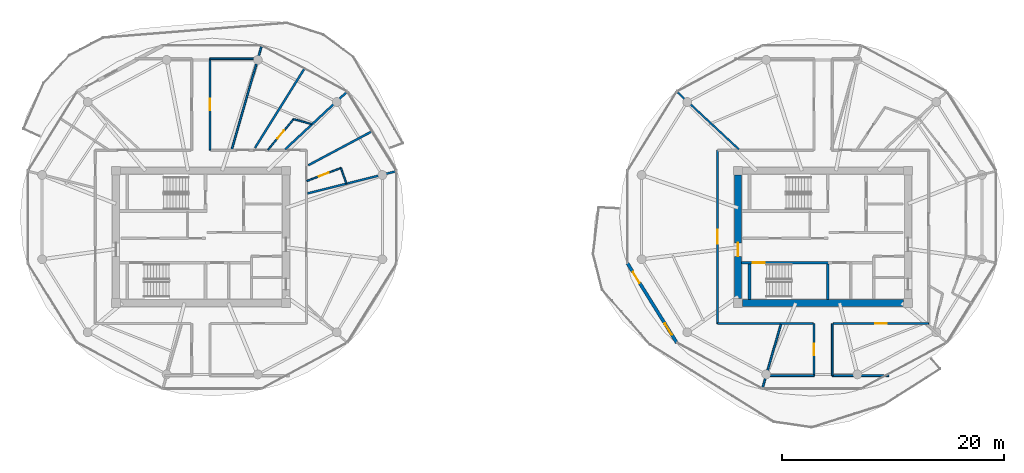
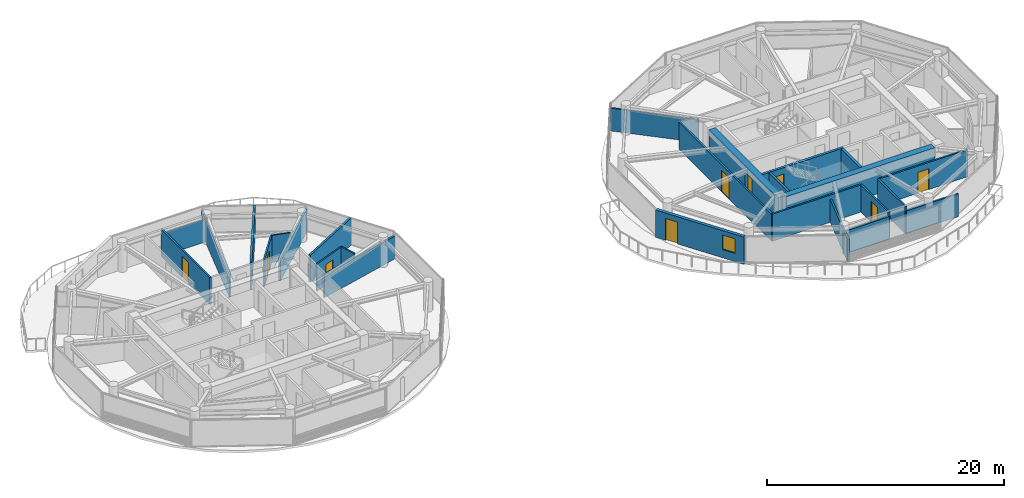
# One storey, part 14 of 21: 26 walls, 9 doors, 1 window, 10 openings.
"""IFC4 building model written with IfcOpenShell, lengths in metres."""

from ifc_helpers import new_model, si_unit, direction, frame, frame_2d, origin, place, context, subcontext, project, spatial, rectangle, extrude, source, transform, mapped, material, layer, layer_set, type_object, type_shapes, element, fill, save


model = new_model("IFC4")

# Units and contexts
model_context = context("Model", 3, precision=1e-05, world=origin(), true_north=direction((0.0, 1.0)))
body_context = subcontext(model_context, "Body", "Model", "MODEL_VIEW")
ifc_project = project(units=[si_unit("LENGTHUNIT", "METRE"), si_unit("AREAUNIT", "SQUARE_METRE"), si_unit("VOLUMEUNIT", "CUBIC_METRE"), si_unit("PLANEANGLEUNIT", "RADIAN"), si_unit("MASSUNIT", "GRAM", prefix="KILO")], contexts=[model_context])

# Site, building, storey
site_placement = place(None, origin())
site = spatial("IfcSite", under=ifc_project, at=site_placement, CompositionType="ELEMENT")
building_placement = place(site_placement, origin())
building = spatial("IfcBuilding", under=site, at=building_placement, Name="Norrkilde Senior Care Towers", CompositionType="ELEMENT")
storey_placement = place(building_placement, frame((0.0, 0.0, 149.550048828125)))
storey = spatial("IfcBuildingStorey", under=building, at=storey_placement, Name="L46", CompositionType="ELEMENT", Elevation=149.550048828125)

# Wall
ifc_material_1 = material(Name="Concrete C50/60", Category="concrete")
ifc_layer_1 = layer(ifc_material_1, 0.6201171875)
ifc_layer_set_1 = layer_set([ifc_layer_1], Name="Concrete C50/60")
wall_type_1 = type_object("IfcWallType", Name="Core Shear Wall Z3 620", PredefinedType="SHEAR", material=ifc_layer_set_1)
shared_shape_1 = source(origin(), body_context, "Body", "SweptSolid", [
    extrude(rectangle(XDim=14.5, YDim=0.6201171875, at=frame_2d((7.25, 0.0))), origin(), (0.0, 0.0, 1.0), 2.81005859375),
])
wall_1_placement = place(storey_placement, frame((35.25, -5.949951171875, 0.0), z_axis=(0.0, 0.0, 1.0), x_axis=(-1.0, 0.0, 0.0)))
element("IfcWall", 1, at=wall_1_placement, inside=storey, type_object=wall_type_1, Name="L46 Core E South Shear Wall", PredefinedType="SHEAR", context=body_context, shape_type="MappedRepresentation", body=[
    mapped(shared_shape_1, transform((0.0, 0.0, 0.0), x_axis=(1.0, 0.0, 0.0), y_axis=(0.0, 1.0, 0.0), z_axis=(0.0, 0.0, 1.0), scale=1.0)),
])

# Wall, opening, door
shared_shape_2 = source(origin(), body_context, "Body", "SweptSolid", [
    extrude(rectangle(XDim=11.10009765625, YDim=0.6201171875, at=frame_2d((5.550048828125, 0.0))), origin(), (0.0, 0.0, 1.0), 2.81005859375),
])
type_shapes(wall_type_1, [shared_shape_1, shared_shape_2])
wall_2_placement = place(storey_placement, frame((20.35009765625, -5.550048828125, 0.0), z_axis=(0.0, 0.0, 1.0), x_axis=(0.0, 1.0, 0.0)))
wall_2 = element("IfcWall", 2, at=wall_2_placement, inside=storey, type_object=wall_type_1, Name="L46 Core E West Shear Wall", PredefinedType="SHEAR", context=body_context, shape_type="MappedRepresentation", body=[
    mapped(shared_shape_2, transform((0.0, 0.0, 0.0), x_axis=(1.0, 0.0, 0.0), y_axis=(0.0, 1.0, 0.0), z_axis=(0.0, 0.0, 1.0), scale=1.0)),
])
opening_1_placement = place(wall_2_placement, frame((3.800048828125, 0.0, 0.0)))
opening_1 = element("IfcOpeningElement", 3, at=opening_1_placement, cuts=wall_2, Name="Opening D-04", PredefinedType="OPENING", context=body_context, shape_type="SweptSolid", body=[
    extrude(rectangle(XDim=1.199951171875, YDim=2.14990234375, at=frame_2d((0.60009765625, 1.074951171875))), frame((0.0, 0.320068359375, 0.0), z_axis=(0.0, -1.0, 0.0), x_axis=(1.0, 0.0, 0.0)), (0.0, 0.0, 1.0), 0.64013671875),
])
ifc_material_2 = material(Name="Galvanised Painted Steel", Category="steel")
door_type_1 = type_object("IfcDoorType", Name="Firefighting Lobby Fire Door 1200x2150", OperationType="NOTDEFINED", PredefinedType="DOOR", material=ifc_material_2)
shared_shape_3 = source(origin(), body_context, "Body", "SweptSolid", [
    extrude(rectangle(XDim=1.199951171875, YDim=2.14990234375, at=frame_2d((0.60009765625, 1.074951171875))), frame((0.0, 0.02490234375, 0.0), z_axis=(0.0, -1.0, 0.0), x_axis=(1.0, 0.0, 0.0)), (0.0, 0.0, 1.0), 0.050048828125),
])
type_shapes(door_type_1, [shared_shape_3])
door_1_placement = place(opening_1_placement, frame((1.199951171875, 0.0, 0.0), z_axis=(0.0, 0.0, 1.0), x_axis=(-1.0, 0.0, 0.0)))
door_1 = element("IfcDoor", 4, at=door_1_placement, inside=storey, type_object=door_type_1, Name="L46 Core E West Portal Door", OperationType="SINGLE_SWING_LEFT", OverallHeight=2.14990234375, OverallWidth=1.199951171875, PredefinedType="DOOR", context=body_context, shape_type="MappedRepresentation", body=[
    mapped(shared_shape_3, transform((0.0, 0.0, 0.0), x_axis=(1.0, 0.0, 0.0), y_axis=(0.0, 1.0, 0.0), z_axis=(0.0, 0.0, 1.0), scale=1.0)),
])
fill(opening_1, door_1)

# Wall, openings, door, window
ifc_material_3 = material(Name="Precast concrete C45/55", Category="concrete")
ifc_layer_2 = layer(ifc_material_3, 0.2900390625)
ifc_layer_set_2 = layer_set([ifc_layer_2], Name="Precast concrete C45/55")
wall_type_2 = type_object("IfcWallType", Name="Winter Garden Facade Wall 290", PredefinedType="SOLIDWALL", material=ifc_layer_set_2)
shared_shape_4 = source(origin(), body_context, "Body", "SweptSolid", [
    extrude(rectangle(XDim=8.431396484375, YDim=0.2900390625, at=frame_2d((4.2158203125, 0.0))), origin(), (0.0, 0.0, 1.0), 2.81005859375),
])
type_shapes(wall_type_2, [shared_shape_4])
wall_3_placement = place(storey_placement, frame((14.826904296875, -9.524169921875, 0.0), z_axis=(0.0, 0.0, 1.0), x_axis=(-0.527377998418, 0.849630770855, 0.0)))
wall_3 = element("IfcWall", 5, at=wall_3_placement, inside=storey, type_object=wall_type_2, Name="L46 Drum E Balcony Access Wall 06", PredefinedType="SOLIDWALL", context=body_context, shape_type="MappedRepresentation", body=[
    mapped(shared_shape_4, transform((0.0, 0.0, 0.0), x_axis=(1.0, 0.0, 0.0), y_axis=(0.0, 1.0, 0.0), z_axis=(0.0, 0.0, 1.0), scale=1.0)),
])
opening_2_placement = place(wall_3_placement, frame((6.340087890625, 0.0, 0.0)))
opening_2 = element("IfcOpeningElement", 6, at=opening_2_placement, cuts=wall_3, Name="Opening D-09", PredefinedType="OPENING", context=body_context, shape_type="SweptSolid", body=[
    extrude(rectangle(XDim=1.14990234375, YDim=2.25, at=frame_2d((0.574951171875, 1.125))), frame((0.0, 0.155029296875, 0.0), z_axis=(0.0, -1.0, 0.0), x_axis=(1.0, 0.0, 0.0)), (0.0, 0.0, 1.0), 0.31005859375),
])
opening_3_placement = place(wall_3_placement, frame((0.85009765625, 0.0, 0.85009765625)))
opening_3 = element("IfcOpeningElement", 7, at=opening_3_placement, cuts=wall_3, Name="Opening WN-07", PredefinedType="OPENING", context=body_context, shape_type="SweptSolid", body=[
    extrude(rectangle(XDim=1.199951171875, YDim=1.5, at=frame_2d((0.60009765625, 0.75))), frame((0.0, 0.155029296875, 0.0), z_axis=(0.0, -1.0, 0.0), x_axis=(1.0, 0.0, 0.0)), (0.0, 0.0, 1.0), 0.31005859375),
])
ifc_material_4 = material(Name="Anodised Aluminium", Category="aluminium")
door_type_2 = type_object("IfcDoorType", Name="Terrace and Balcony Glazed Door 1150x2250", OperationType="NOTDEFINED", PredefinedType="DOOR", material=ifc_material_4)
shared_shape_5 = source(origin(), body_context, "Body", "SweptSolid", [
    extrude(rectangle(XDim=1.14990234375, YDim=2.25, at=frame_2d((0.574951171875, 1.125))), frame((0.0, 0.02490234375, 0.0), z_axis=(0.0, -1.0, 0.0), x_axis=(1.0, 0.0, 0.0)), (0.0, 0.0, 1.0), 0.050048828125),
])
type_shapes(door_type_2, [shared_shape_5])
door_2_placement = place(opening_2_placement, origin())
door_2 = element("IfcDoor", 8, at=door_2_placement, inside=storey, type_object=door_type_2, Name="L46 Drum E Outdoor Terrace Door 06", OperationType="SINGLE_SWING_LEFT", OverallHeight=2.25, OverallWidth=1.14990234375, PredefinedType="DOOR", context=body_context, shape_type="MappedRepresentation", body=[
    mapped(shared_shape_5, transform((0.0, 0.0, 0.0), x_axis=(1.0, 0.0, 0.0), y_axis=(0.0, 1.0, 0.0), z_axis=(0.0, 0.0, 1.0), scale=1.0)),
])
fill(opening_2, door_2)
ifc_material_5 = material(Name="Triple Low-E Insulated Glazing", Category="glass")
window_type = type_object("IfcWindowType", Name="Stairwell Smoke Vent Window 1200x1500", PartitioningType="SINGLE_PANEL", PredefinedType="WINDOW", material=ifc_material_5)
shared_shape_6 = source(origin(), body_context, "Body", "SweptSolid", [
    extrude(rectangle(XDim=1.199951171875, YDim=1.5, at=frame_2d((0.60009765625, 0.75))), frame((0.0, 0.030029296875, 0.0), z_axis=(0.0, -1.0, 0.0), x_axis=(1.0, 0.0, 0.0)), (0.0, 0.0, 1.0), 0.06005859375),
])
type_shapes(window_type, [shared_shape_6])
window_placement = place(opening_3_placement, origin())
window = element("IfcWindow", 9, at=window_placement, inside=storey, type_object=window_type, Name="L46 Drum E Winter Garden Window 06", OverallHeight=1.5, OverallWidth=1.199951171875, PartitioningType="SINGLE_PANEL", PredefinedType="WINDOW", context=body_context, shape_type="MappedRepresentation", body=[
    mapped(shared_shape_6, transform((0.0, 0.0, 0.0), x_axis=(1.0, 0.0, 0.0), y_axis=(0.0, 1.0, 0.0), z_axis=(0.0, 0.0, 1.0), scale=1.0)),
])
fill(opening_3, window)

# Wall, opening, door
ifc_material_6 = material(Name="Concrete C45/55", Category="concrete")
ifc_layer_3 = layer(ifc_material_6, 0.239990234375)
ifc_layer_set_3 = layer_set([ifc_layer_3], Name="Concrete C45/55")
wall_type_3 = type_object("IfcWallType", Name="Shaft and Stair Enclosure Wall 240", PredefinedType="PARTITIONING", material=ifc_layer_set_3)
shared_shape_7 = source(origin(), body_context, "Body", "SweptSolid", [
    extrude(rectangle(XDim=7.880126953125, YDim=0.239990234375, at=frame_2d((3.93994140625, 0.0))), origin(), (0.0, 0.0, 1.0), 2.81005859375),
])
wall_4_placement = place(storey_placement, frame((20.659912109375, -2.330078125, 0.0), z_axis=(0.0, 0.0, 1.0), x_axis=(1.0, 0.0, 0.0)))
wall_4 = element("IfcWall", 10, at=wall_4_placement, inside=storey, type_object=wall_type_3, Name="WL-INT-L46-E-ST2N", PredefinedType="PARTITIONING", context=body_context, shape_type="MappedRepresentation", body=[
    mapped(shared_shape_7, transform((0.0, 0.0, 0.0), x_axis=(1.0, 0.0, 0.0), y_axis=(0.0, 1.0, 0.0), z_axis=(0.0, 0.0, 1.0), scale=1.0)),
])
opening_4_placement = place(wall_4_placement, frame((1.0, 0.0, 0.0)))
opening_4 = element("IfcOpeningElement", 11, at=opening_4_placement, cuts=wall_4, Name="Opening D-03", PredefinedType="OPENING", context=body_context, shape_type="SweptSolid", body=[
    extrude(rectangle(XDim=1.10009765625, YDim=2.14990234375, at=frame_2d((0.550048828125, 1.074951171875))), frame((0.0, 0.1298828125, 0.0), z_axis=(0.0, -1.0, 0.0), x_axis=(1.0, 0.0, 0.0)), (0.0, 0.0, 1.0), 0.260009765625),
])
door_type_3 = type_object("IfcDoorType", Name="Stairwell Protected Fire Door 1100x2150", OperationType="NOTDEFINED", PredefinedType="DOOR", material=ifc_material_2)
shared_shape_8 = source(origin(), body_context, "Body", "SweptSolid", [
    extrude(rectangle(XDim=1.10009765625, YDim=2.14990234375, at=frame_2d((0.550048828125, 1.074951171875))), frame((0.0, 0.02490234375, 0.0), z_axis=(0.0, -1.0, 0.0), x_axis=(1.0, 0.0, 0.0)), (0.0, 0.0, 1.0), 0.050048828125),
])
type_shapes(door_type_3, [shared_shape_8])
door_3_placement = place(opening_4_placement, frame((1.10009765625, 0.0, 0.0), z_axis=(0.0, 0.0, 1.0), x_axis=(-1.0, 0.0, 0.0)))
door_3 = element("IfcDoor", 12, at=door_3_placement, inside=storey, type_object=door_type_3, Name="L46 Stair E2 Fire Door", OperationType="SINGLE_SWING_RIGHT", OverallHeight=2.14990234375, OverallWidth=1.10009765625, PredefinedType="DOOR", context=body_context, shape_type="MappedRepresentation", body=[
    mapped(shared_shape_8, transform((0.0, 0.0, 0.0), x_axis=(1.0, 0.0, 0.0), y_axis=(0.0, 1.0, 0.0), z_axis=(0.0, 0.0, 1.0), scale=1.0)),
])
fill(opening_4, door_3)

# Walls
shared_shape_9 = source(origin(), body_context, "Body", "SweptSolid", [
    extrude(rectangle(XDim=3.18994140625, YDim=0.239990234375, at=frame_2d((1.594970703125, 0.0))), origin(), (0.0, 0.0, 1.0), 2.81005859375),
])
type_shapes(wall_type_3, [shared_shape_7, shared_shape_9])
for number, where, z_axis, x_axis, name in (
    (13, (21.3798828125, -5.639892578125, 0.0), (0.0, 0.0, 1.0), (0.0, 1.0, 0.0), "WL-INT-L46-E-ST2W"),
    (14, (28.419921875, -5.639892578125, 0.0), (0.0, 0.0, 1.0), (0.0, 1.0, 0.0), "WL-INT-L46-E-ST2E"),
):
    element("IfcWall", number, at=place(storey_placement, frame(where, z_axis=z_axis, x_axis=x_axis)), inside=storey, type_object=wall_type_3, Name=name, PredefinedType="PARTITIONING", context=body_context, shape_type="MappedRepresentation", body=[
        mapped(shared_shape_9, transform((0.0, 0.0, 0.0), x_axis=(1.0, 0.0, 0.0), y_axis=(0.0, 1.0, 0.0), z_axis=(0.0, 0.0, 1.0), scale=1.0)),
    ])

# Wall, opening, door
ifc_material_7 = material(Name="Gypsum Acoustic Board")
ifc_layer_4 = layer(ifc_material_7, 0.1650390625)
ifc_layer_set_4 = layer_set([ifc_layer_4], Name="Gypsum Acoustic Board")
wall_type_4 = type_object("IfcWallType", Name="Corridor Rated Partition 165", PredefinedType="PARTITIONING", material=ifc_layer_set_4)
shared_shape_10 = source(origin(), body_context, "Body", "SweptSolid", [
    extrude(rectangle(XDim=8.60009765625, YDim=0.1650390625, at=frame_2d((4.300048828125, 0.0))), origin(), (0.0, 0.0, 1.0), 2.794921875),
])
wall_5_placement = place(storey_placement, frame((37.5, -7.800048828125, 0.0), z_axis=(0.0, 0.0, 1.0), x_axis=(-1.0, 0.0, 0.0)))
wall_5 = element("IfcWall", 15, at=wall_5_placement, inside=storey, type_object=wall_type_4, Name="WL-INT-L46-E-CRW-S-0", PredefinedType="PARTITIONING", context=body_context, shape_type="MappedRepresentation", body=[
    mapped(shared_shape_10, transform((0.0, 0.0, 0.0), x_axis=(1.0, 0.0, 0.0), y_axis=(0.0, 1.0, 0.0), z_axis=(0.0, 0.0, 1.0), scale=1.0)),
])
opening_5_placement = place(wall_5_placement, frame((3.77490234375, 0.0, 0.0)))
opening_5 = element("IfcOpeningElement", 16, at=opening_5_placement, cuts=wall_5, Name="Opening D-06", PredefinedType="OPENING", context=body_context, shape_type="SweptSolid", body=[
    extrude(rectangle(XDim=1.050048828125, YDim=2.14990234375, at=frame_2d((0.52490234375, 1.074951171875))), frame((0.0, 0.092529296875, 0.0), z_axis=(0.0, -1.0, 0.0), x_axis=(1.0, 0.0, 0.0)), (0.0, 0.0, 1.0), 0.18505859375),
])
ifc_material_8 = material(Name="Nordic Ash Timber", Category="wood")
door_type_4 = type_object("IfcDoorType", Name="Apartment Entrance Fire Door 1050x2150", OperationType="NOTDEFINED", PredefinedType="DOOR", material=ifc_material_8)
shared_shape_11 = source(origin(), body_context, "Body", "SweptSolid", [
    extrude(rectangle(XDim=1.050048828125, YDim=2.14990234375, at=frame_2d((0.52490234375, 1.074951171875))), frame((0.0, 0.02490234375, 0.0), z_axis=(0.0, -1.0, 0.0), x_axis=(1.0, 0.0, 0.0)), (0.0, 0.0, 1.0), 0.050048828125),
])
type_shapes(door_type_4, [shared_shape_11])
door_4_placement = place(opening_5_placement, frame((1.050048828125, 0.0, 0.0), z_axis=(0.0, 0.0, 1.0), x_axis=(-1.0, 0.0, 0.0)))
door_4 = element("IfcDoor", 17, at=door_4_placement, inside=storey, type_object=door_type_4, Name="L46 Reading Lounge SEL Door", OperationType="SINGLE_SWING_RIGHT", OverallHeight=2.14990234375, OverallWidth=1.050048828125, PredefinedType="DOOR", context=body_context, shape_type="MappedRepresentation", body=[
    mapped(shared_shape_11, transform((0.0, 0.0, 0.0), x_axis=(1.0, 0.0, 0.0), y_axis=(0.0, 1.0, 0.0), z_axis=(0.0, 0.0, 1.0), scale=1.0)),
])
fill(opening_5, door_4)

# Wall
wall_6_placement = place(storey_placement, frame((27.10009765625, -7.800048828125, 0.0), z_axis=(0.0, 0.0, 1.0), x_axis=(-1.0, 0.0, 0.0)))
element("IfcWall", 18, at=wall_6_placement, inside=storey, type_object=wall_type_4, Name="WL-INT-L46-E-CRW-S-1", PredefinedType="PARTITIONING", context=body_context, shape_type="MappedRepresentation", body=[
    mapped(shared_shape_10, transform((0.0, 0.0, 0.0), x_axis=(1.0, 0.0, 0.0), y_axis=(0.0, 1.0, 0.0), z_axis=(0.0, 0.0, 1.0), scale=1.0)),
])

# Wall, opening, door
shared_shape_12 = source(origin(), body_context, "Body", "SweptSolid", [
    extrude(rectangle(XDim=15.60009765625, YDim=0.1650390625, at=frame_2d((7.800048828125, 0.0))), origin(), (0.0, 0.0, 1.0), 2.794921875),
])
wall_7_placement = place(storey_placement, frame((18.5, -7.800048828125, 0.0), z_axis=(0.0, 0.0, 1.0), x_axis=(0.0, 1.0, 0.0)))
wall_7 = element("IfcWall", 19, at=wall_7_placement, inside=storey, type_object=wall_type_4, Name="WL-INT-L46-E-CRW-W-0", PredefinedType="PARTITIONING", context=body_context, shape_type="MappedRepresentation", body=[
    mapped(shared_shape_12, transform((0.0, 0.0, 0.0), x_axis=(1.0, 0.0, 0.0), y_axis=(0.0, 1.0, 0.0), z_axis=(0.0, 0.0, 1.0), scale=1.0)),
])
opening_6_placement = place(wall_7_placement, frame((7.175048828125, 0.0, 0.0)))
opening_6 = element("IfcOpeningElement", 20, at=opening_6_placement, cuts=wall_7, Name="Opening D-05", PredefinedType="OPENING", context=body_context, shape_type="SweptSolid", body=[
    extrude(rectangle(XDim=1.25, YDim=2.199951171875, at=frame_2d((0.625, 1.10009765625))), frame((0.0, 0.092529296875, 0.0), z_axis=(0.0, -1.0, 0.0), x_axis=(1.0, 0.0, 0.0)), (0.0, 0.0, 1.0), 0.18505859375),
])
door_type_5 = type_object("IfcDoorType", Name="Care Bedroom Bariatric Door 1250x2200", OperationType="NOTDEFINED", PredefinedType="DOOR", material=ifc_material_8)
shared_shape_13 = source(origin(), body_context, "Body", "SweptSolid", [
    extrude(rectangle(XDim=1.25, YDim=2.199951171875, at=frame_2d((0.625, 1.10009765625))), frame((0.0, 0.02490234375, 0.0), z_axis=(0.0, -1.0, 0.0), x_axis=(1.0, 0.0, 0.0)), (0.0, 0.0, 1.0), 0.050048828125),
])
type_shapes(door_type_5, [shared_shape_13])
door_5_placement = place(opening_6_placement, frame((1.25, 0.0, 0.0), z_axis=(0.0, 0.0, 1.0), x_axis=(-1.0, 0.0, 0.0)))
door_5 = element("IfcDoor", 21, at=door_5_placement, inside=storey, type_object=door_type_5, Name="L46 Senior Wellness Library Lounge Door", OperationType="SINGLE_SWING_LEFT", OverallHeight=2.199951171875, OverallWidth=1.25, PredefinedType="DOOR", context=body_context, shape_type="MappedRepresentation", body=[
    mapped(shared_shape_13, transform((0.0, 0.0, 0.0), x_axis=(1.0, 0.0, 0.0), y_axis=(0.0, 1.0, 0.0), z_axis=(0.0, 0.0, 1.0), scale=1.0)),
])
fill(opening_6, door_5)

# Walls
shared_shape_14 = source(origin(), body_context, "Body", "SweptSolid", [
    extrude(rectangle(XDim=9.73046875, YDim=0.1650390625, at=frame_2d((4.865234375, 0.0))), origin(), (0.0, 0.0, 1.0), 2.344970703125),
])
wall_8_placement = place(storey_placement, frame((-25.216552734375, 7.8798828125, 0.0), z_axis=(0.0, 0.0, 1.0), x_axis=(0.27679492614, 0.960929013436, 0.0)))
element("IfcWall", 22, at=wall_8_placement, inside=storey, type_object=wall_type_4, Name="WL-INT-L46-W-DEM-02-0", PredefinedType="PARTITIONING", context=body_context, shape_type="MappedRepresentation", body=[
    mapped(shared_shape_14, transform((0.0, 0.0, 0.0), x_axis=(1.0, 0.0, 0.0), y_axis=(0.0, 1.0, 0.0), z_axis=(0.0, 0.0, 1.0), scale=1.0)),
])
shared_shape_15 = source(origin(), body_context, "Body", "SweptSolid", [
    extrude(rectangle(XDim=6.035400390625, YDim=0.1650390625, at=frame_2d((3.017578125, 0.0))), origin(), (0.0, 0.0, 1.0), 2.344970703125),
])
wall_9_placement = place(storey_placement, frame((24.19384765625, -7.8798828125, 0.0), z_axis=(0.0, 0.0, 1.0), x_axis=(-0.276809454862, -0.960924828329, 0.0)))
element("IfcWall", 23, at=wall_9_placement, inside=storey, type_object=wall_type_4, Name="WL-INT-L46-E-DEM-08-0", PredefinedType="PARTITIONING", context=body_context, shape_type="MappedRepresentation", body=[
    mapped(shared_shape_15, transform((0.0, 0.0, 0.0), x_axis=(1.0, 0.0, 0.0), y_axis=(0.0, 1.0, 0.0), z_axis=(0.0, 0.0, 1.0), scale=1.0)),
])

# Wall, opening, door
shared_shape_16 = source(origin(), body_context, "Body", "SweptSolid", [
    extrude(rectangle(XDim=8.2353515625, YDim=0.1650390625, at=frame_2d((4.11767578125, 0.0))), origin(), (0.0, 0.0, 1.0), 2.794921875),
])
wall_10_placement = place(storey_placement, frame((-27.179931640625, 7.800048828125, 0.0), z_axis=(0.0, 0.0, 1.0), x_axis=(0.0, 1.0, 0.0)))
wall_10 = element("IfcWall", 24, at=wall_10_placement, inside=storey, type_object=wall_type_4, Name="WL-INT-L46-W-PKW-NEL", PredefinedType="PARTITIONING", context=body_context, shape_type="MappedRepresentation", body=[
    mapped(shared_shape_16, transform((0.0, 0.0, 0.0), x_axis=(1.0, 0.0, 0.0), y_axis=(0.0, 1.0, 0.0), z_axis=(0.0, 0.0, 1.0), scale=1.0)),
])
opening_7_placement = place(wall_10_placement, frame((3.5927734375, 0.0, 0.0)))
opening_7 = element("IfcOpeningElement", 25, at=opening_7_placement, cuts=wall_10, Name="Opening D-06", PredefinedType="OPENING", context=body_context, shape_type="SweptSolid", body=[
    extrude(rectangle(XDim=1.050048828125, YDim=2.14990234375, at=frame_2d((0.52490234375, 1.074951171875))), frame((0.0, 0.092529296875, 0.0), z_axis=(0.0, -1.0, 0.0), x_axis=(1.0, 0.0, 0.0)), (0.0, 0.0, 1.0), 0.18505859375),
])
door_6_placement = place(opening_7_placement, frame((1.050048828125, 0.0, 0.0), z_axis=(0.0, 0.0, 1.0), x_axis=(-1.0, 0.0, 0.0)))
door_6 = element("IfcDoor", 26, at=door_6_placement, inside=storey, type_object=door_type_4, Name="L46 Reading Lounge NEL Door", OperationType="SINGLE_SWING_RIGHT", OverallHeight=2.14990234375, OverallWidth=1.050048828125, PredefinedType="DOOR", context=body_context, shape_type="MappedRepresentation", body=[
    mapped(shared_shape_11, transform((0.0, 0.0, 0.0), x_axis=(1.0, 0.0, 0.0), y_axis=(0.0, 1.0, 0.0), z_axis=(0.0, 0.0, 1.0), scale=1.0)),
])
fill(opening_7, door_6)

# Walls
shared_shape_17 = source(origin(), body_context, "Body", "SweptSolid", [
    extrude(rectangle(XDim=4.46875, YDim=0.1650390625, at=frame_2d((2.234375, 0.0))), origin(), (0.0, 0.0, 1.0), 2.344970703125),
])
for number, where, z_axis, x_axis, name in (
    (27, (-27.179931640625, 16.035400390625, 0.0), (0.0, 0.0, 1.0), (1.0, 0.0, 0.0), "WL-INT-L46-W-PKH-NEL-0"),
    (28, (22.711181640625, -12.484619140625, 0.0), (0.0, 0.0, 1.0), (1.0, 0.0, 0.0), "WL-INT-L46-E-PKH-SWL-0"),
):
    element("IfcWall", number, at=place(storey_placement, frame(where, z_axis=z_axis, x_axis=x_axis)), inside=storey, type_object=wall_type_4, Name=name, PredefinedType="PARTITIONING", context=body_context, shape_type="MappedRepresentation", body=[
        mapped(shared_shape_17, transform((0.0, 0.0, 0.0), x_axis=(1.0, 0.0, 0.0), y_axis=(0.0, 1.0, 0.0), z_axis=(0.0, 0.0, 1.0), scale=1.0)),
    ])

# Wall, opening, door
shared_shape_18 = source(origin(), body_context, "Body", "SweptSolid", [
    extrude(rectangle(XDim=4.6845703125, YDim=0.1650390625, at=frame_2d((2.34228515625, 0.0))), origin(), (0.0, 0.0, 1.0), 2.794921875),
])
wall_11_placement = place(storey_placement, frame((27.179931640625, -12.484619140625, 0.0), z_axis=(0.0, 0.0, 1.0), x_axis=(0.0, 1.0, 0.0)))
wall_11 = element("IfcWall", 29, at=wall_11_placement, inside=storey, type_object=wall_type_4, Name="WL-INT-L46-E-PKW-SWL", PredefinedType="PARTITIONING", context=body_context, shape_type="MappedRepresentation", body=[
    mapped(shared_shape_18, transform((0.0, 0.0, 0.0), x_axis=(1.0, 0.0, 0.0), y_axis=(0.0, 1.0, 0.0), z_axis=(0.0, 0.0, 1.0), scale=1.0)),
])
opening_8_placement = place(wall_11_placement, frame((1.8173828125, 0.0, 0.0)))
opening_8 = element("IfcOpeningElement", 30, at=opening_8_placement, cuts=wall_11, Name="Opening D-06", PredefinedType="OPENING", context=body_context, shape_type="SweptSolid", body=[
    extrude(rectangle(XDim=1.050048828125, YDim=2.14990234375, at=frame_2d((0.52490234375, 1.074951171875))), frame((0.0, 0.092529296875, 0.0), z_axis=(0.0, -1.0, 0.0), x_axis=(1.0, 0.0, 0.0)), (0.0, 0.0, 1.0), 0.18505859375),
])
door_7_placement = place(opening_8_placement, frame((1.050048828125, 0.0, 0.0), z_axis=(0.0, 0.0, 1.0), x_axis=(-1.0, 0.0, 0.0)))
door_7 = element("IfcDoor", 31, at=door_7_placement, inside=storey, type_object=door_type_4, Name="L46 Reading Lounge SWL Door", OperationType="SINGLE_SWING_RIGHT", OverallHeight=2.14990234375, OverallWidth=1.050048828125, PredefinedType="DOOR", context=body_context, shape_type="MappedRepresentation", body=[
    mapped(shared_shape_11, transform((0.0, 0.0, 0.0), x_axis=(1.0, 0.0, 0.0), y_axis=(0.0, 1.0, 0.0), z_axis=(0.0, 0.0, 1.0), scale=1.0)),
])
fill(opening_8, door_7)

# Walls
wall_12_placement = place(storey_placement, frame((28.820068359375, -12.484619140625, 0.0), z_axis=(0.0, 0.0, 1.0), x_axis=(0.0, 1.0, 0.0)))
element("IfcWall", 32, at=wall_12_placement, inside=storey, type_object=wall_type_4, Name="WL-INT-L46-E-PKW-SEL", PredefinedType="PARTITIONING", context=body_context, shape_type="MappedRepresentation", body=[
    mapped(shared_shape_18, transform((0.0, 0.0, 0.0), x_axis=(1.0, 0.0, 0.0), y_axis=(0.0, 1.0, 0.0), z_axis=(0.0, 0.0, 1.0), scale=1.0)),
])
ifc_layer_5 = layer(ifc_material_7, 0.18994140625)
ifc_layer_set_5 = layer_set([ifc_layer_5], Name="Gypsum Acoustic Board")
wall_type_5 = type_object("IfcWallType", Name="Unit Demising Acoustic Wall 190", PredefinedType="PARTITIONING", material=ifc_layer_set_5)
shared_shape_19 = source(origin(), body_context, "Body", "SweptSolid", [
    extrude(rectangle(XDim=8.305419921875, YDim=0.18994140625, at=frame_2d((4.15283203125, 0.0))), origin(), (0.0, 0.0, 1.0), 2.344970703125),
])
wall_13_placement = place(storey_placement, frame((-18.419921875, 3.90771484375, 0.0), z_axis=(0.0, 0.0, 1.0), x_axis=(0.970309994378, 0.241864662175, 0.0)))
element("IfcWall", 33, at=wall_13_placement, inside=storey, type_object=wall_type_5, Name="WL-INT-L46-W-DEM-00-0", PredefinedType="PARTITIONING", context=body_context, shape_type="MappedRepresentation", body=[
    mapped(shared_shape_19, transform((0.0, 0.0, 0.0), x_axis=(1.0, 0.0, 0.0), y_axis=(0.0, 1.0, 0.0), z_axis=(0.0, 0.0, 1.0), scale=1.0)),
])
shared_shape_20 = source(origin(), body_context, "Body", "SweptSolid", [
    extrude(rectangle(XDim=7.648193359375, YDim=0.18994140625, at=frame_2d((3.82421875, 0.0))), origin(), (0.0, 0.0, 1.0), 2.344970703125),
])
wall_14_placement = place(storey_placement, frame((-20.41259765625, 7.8798828125, 0.0), z_axis=(0.0, 0.0, 1.0), x_axis=(0.732182665826, 0.681108320213, 0.0)))
element("IfcWall", 34, at=wall_14_placement, inside=storey, type_object=wall_type_5, Name="WL-INT-L46-W-DEM-01-0", PredefinedType="PARTITIONING", context=body_context, shape_type="MappedRepresentation", body=[
    mapped(shared_shape_20, transform((0.0, 0.0, 0.0), x_axis=(1.0, 0.0, 0.0), y_axis=(0.0, 1.0, 0.0), z_axis=(0.0, 0.0, 1.0), scale=1.0)),
])
shared_shape_21 = source(origin(), body_context, "Body", "SweptSolid", [
    extrude(rectangle(XDim=7.648193359375, YDim=0.1650390625, at=frame_2d((3.82421875, 0.0))), origin(), (0.0, 0.0, 1.0), 2.344970703125),
])
wall_15_placement = place(storey_placement, frame((20.41259765625, 7.8798828125, 0.0), z_axis=(0.0, 0.0, 1.0), x_axis=(-0.732182665826, 0.681108320213, 0.0)))
element("IfcWall", 35, at=wall_15_placement, inside=storey, type_object=wall_type_4, Name="WL-INT-L46-E-DEM-04-0", PredefinedType="PARTITIONING", context=body_context, shape_type="MappedRepresentation", body=[
    mapped(shared_shape_21, transform((0.0, 0.0, 0.0), x_axis=(1.0, 0.0, 0.0), y_axis=(0.0, 1.0, 0.0), z_axis=(0.0, 0.0, 1.0), scale=1.0)),
])
shared_shape_22 = source(origin(), body_context, "Body", "SweptSolid", [
    extrude(rectangle(XDim=5.089111328125, YDim=0.1650390625, at=frame_2d((2.54443359375, 0.0))), origin(), (0.0, 0.0, 1.0), 2.344970703125),
])
type_shapes(wall_type_4, [shared_shape_10, shared_shape_12, shared_shape_14, shared_shape_15, shared_shape_16, shared_shape_17, shared_shape_18, shared_shape_21, shared_shape_22])
wall_16_placement = place(storey_placement, frame((28.820068359375, -12.484619140625, 0.0), z_axis=(0.0, 0.0, 1.0), x_axis=(1.0, 0.0, 0.0)))
element("IfcWall", 36, at=wall_16_placement, inside=storey, type_object=wall_type_4, Name="WL-INT-L46-E-PKH-SEL-0", PredefinedType="PARTITIONING", context=body_context, shape_type="MappedRepresentation", body=[
    mapped(shared_shape_22, transform((0.0, 0.0, 0.0), x_axis=(1.0, 0.0, 0.0), y_axis=(0.0, 1.0, 0.0), z_axis=(0.0, 0.0, 1.0), scale=1.0)),
])
shared_shape_23 = source(origin(), body_context, "Body", "SweptSolid", [
    extrude(rectangle(XDim=6.4990234375, YDim=0.18994140625, at=frame_2d((3.24951171875, 0.0))), origin(), (0.0, 0.0, 1.0), 2.794921875),
])
wall_17_placement = place(storey_placement, frame((-18.32373046875, 6.44873046875, 0.0), z_axis=(0.0, 0.0, 1.0), x_axis=(0.882715595921, 0.469907625729, 0.0)))
element("IfcWall", 37, at=wall_17_placement, inside=storey, type_object=wall_type_5, Name="WL-INT-L46-W-CMID-00", PredefinedType="PARTITIONING", context=body_context, shape_type="MappedRepresentation", body=[
    mapped(shared_shape_23, transform((0.0, 0.0, 0.0), x_axis=(1.0, 0.0, 0.0), y_axis=(0.0, 1.0, 0.0), z_axis=(0.0, 0.0, 1.0), scale=1.0)),
])

# Wall, opening, door
ifc_layer_6 = layer(ifc_material_7, 0.139892578125)
ifc_layer_set_6 = layer_set([ifc_layer_6], Name="Gypsum Acoustic Board")
wall_type_6 = type_object("IfcWallType", Name="En-suite Wet Room Wall 140", PredefinedType="PARTITIONING", material=ifc_layer_set_6)
shared_shape_24 = source(origin(), body_context, "Body", "SweptSolid", [
    extrude(rectangle(XDim=3.295166015625, YDim=0.139892578125, at=frame_2d((1.6474609375, 0.0))), origin(), (0.0, 0.0, 1.0), 2.794921875),
])
wall_18_placement = place(storey_placement, frame((-18.469970703125, 5.022705078125, 0.0), z_axis=(0.0, 0.0, 1.0), x_axis=(0.934202224769, 0.356743890258, 0.0)))
wall_18 = element("IfcWall", 38, at=wall_18_placement, inside=storey, type_object=wall_type_6, Name="WL-INT-L46-W-ES-00A", PredefinedType="PARTITIONING", context=body_context, shape_type="MappedRepresentation", body=[
    mapped(shared_shape_24, transform((0.0, 0.0, 0.0), x_axis=(1.0, 0.0, 0.0), y_axis=(0.0, 1.0, 0.0), z_axis=(0.0, 0.0, 1.0), scale=1.0)),
])
opening_9_placement = place(wall_18_placement, frame((1.1875, 0.0, 0.0)))
opening_9 = element("IfcOpeningElement", 39, at=opening_9_placement, cuts=wall_18, Name="Opening D-08", PredefinedType="OPENING", context=body_context, shape_type="SweptSolid", body=[
    extrude(rectangle(XDim=0.919921875, YDim=2.10009765625, at=frame_2d((0.4599609375, 1.050048828125))), frame((0.0, 0.079833984375, 0.0), z_axis=(0.0, -1.0, 0.0), x_axis=(1.0, 0.0, 0.0)), (0.0, 0.0, 1.0), 0.159912109375),
])
door_type_6 = type_object("IfcDoorType", Name="Accessible Wet Room Door 920x2100", OperationType="NOTDEFINED", PredefinedType="DOOR", material=ifc_material_8)
shared_shape_25 = source(origin(), body_context, "Body", "SweptSolid", [
    extrude(rectangle(XDim=0.919921875, YDim=2.10009765625, at=frame_2d((0.4599609375, 1.050048828125))), frame((0.0, 0.02490234375, 0.0), z_axis=(0.0, -1.0, 0.0), x_axis=(1.0, 0.0, 0.0)), (0.0, 0.0, 1.0), 0.050048828125),
])
type_shapes(door_type_6, [shared_shape_25])
door_8_placement = place(opening_9_placement, origin())
door_8 = element("IfcDoor", 40, at=door_8_placement, inside=storey, type_object=door_type_6, Name="L46 Care Suite 4600A Bathroom Door", OperationType="SINGLE_SWING_LEFT", OverallHeight=2.10009765625, OverallWidth=0.919921875, PredefinedType="DOOR", context=body_context, shape_type="MappedRepresentation", body=[
    mapped(shared_shape_25, transform((0.0, 0.0, 0.0), x_axis=(1.0, 0.0, 0.0), y_axis=(0.0, 1.0, 0.0), z_axis=(0.0, 0.0, 1.0), scale=1.0)),
])
fill(opening_9, door_8)

# Walls
shared_shape_26 = source(origin(), body_context, "Body", "SweptSolid", [
    extrude(rectangle(XDim=1.478759765625, YDim=0.139892578125, at=frame_2d((0.7392578125, 0.0))), origin(), (0.0, 0.0, 1.0), 2.794921875),
])
wall_19_placement = place(storey_placement, frame((-15.3916015625, 6.1982421875, 0.0), z_axis=(0.0, 0.0, 1.0), x_axis=(0.324438293903, -0.945906862989, 0.0)))
element("IfcWall", 41, at=wall_19_placement, inside=storey, type_object=wall_type_6, Name="WL-INT-L46-W-EF-00A", PredefinedType="PARTITIONING", context=body_context, shape_type="MappedRepresentation", body=[
    mapped(shared_shape_26, transform((0.0, 0.0, 0.0), x_axis=(1.0, 0.0, 0.0), y_axis=(0.0, 1.0, 0.0), z_axis=(0.0, 0.0, 1.0), scale=1.0)),
])
shared_shape_27 = source(origin(), body_context, "Body", "SweptSolid", [
    extrude(rectangle(XDim=8.42236328125, YDim=0.18994140625, at=frame_2d((4.211181640625, 0.0))), origin(), (0.0, 0.0, 1.0), 2.794921875),
])
type_shapes(wall_type_5, [shared_shape_19, shared_shape_20, shared_shape_23, shared_shape_27])
wall_20_placement = place(storey_placement, frame((-23.12548828125, 8.013671875, 0.0), z_axis=(0.0, 0.0, 1.0), x_axis=(0.52925352896, 0.848463730565, 0.0)))
element("IfcWall", 42, at=wall_20_placement, inside=storey, type_object=wall_type_5, Name="WL-INT-L46-W-CMID-01", PredefinedType="PARTITIONING", context=body_context, shape_type="MappedRepresentation", body=[
    mapped(shared_shape_27, transform((0.0, 0.0, 0.0), x_axis=(1.0, 0.0, 0.0), y_axis=(0.0, 1.0, 0.0), z_axis=(0.0, 0.0, 1.0), scale=1.0)),
])

# Wall, opening, door
shared_shape_28 = source(origin(), body_context, "Body", "SweptSolid", [
    extrude(rectangle(XDim=3.59326171875, YDim=0.139892578125, at=frame_2d((1.796630859375, 0.0))), origin(), (0.0, 0.0, 1.0), 2.794921875),
])
wall_21_placement = place(storey_placement, frame((-21.955322265625, 7.830078125, 0.0), z_axis=(0.0, 0.0, 1.0), x_axis=(0.638271060163, 0.769811700196, 0.0)))
wall_21 = element("IfcWall", 43, at=wall_21_placement, inside=storey, type_object=wall_type_6, Name="WL-INT-L46-W-ES-01A", PredefinedType="PARTITIONING", context=body_context, shape_type="MappedRepresentation", body=[
    mapped(shared_shape_28, transform((0.0, 0.0, 0.0), x_axis=(1.0, 0.0, 0.0), y_axis=(0.0, 1.0, 0.0), z_axis=(0.0, 0.0, 1.0), scale=1.0)),
])
opening_10_placement = place(wall_21_placement, frame((1.336669921875, 0.0, 0.0)))
opening_10 = element("IfcOpeningElement", 44, at=opening_10_placement, cuts=wall_21, Name="Opening D-08", PredefinedType="OPENING", context=body_context, shape_type="SweptSolid", body=[
    extrude(rectangle(XDim=0.919921875, YDim=2.10009765625, at=frame_2d((0.4599609375, 1.050048828125))), frame((0.0, 0.079833984375, 0.0), z_axis=(0.0, -1.0, 0.0), x_axis=(1.0, 0.0, 0.0)), (0.0, 0.0, 1.0), 0.159912109375),
])
door_9_placement = place(opening_10_placement, origin())
door_9 = element("IfcDoor", 45, at=door_9_placement, inside=storey, type_object=door_type_6, Name="L46 Care Suite 4601A Bathroom Door", OperationType="SINGLE_SWING_RIGHT", OverallHeight=2.10009765625, OverallWidth=0.919921875, PredefinedType="DOOR", context=body_context, shape_type="MappedRepresentation", body=[
    mapped(shared_shape_25, transform((0.0, 0.0, 0.0), x_axis=(1.0, 0.0, 0.0), y_axis=(0.0, 1.0, 0.0), z_axis=(0.0, 0.0, 1.0), scale=1.0)),
])
fill(opening_10, door_9)

# Wall
shared_shape_29 = source(origin(), body_context, "Body", "SweptSolid", [
    extrude(rectangle(XDim=1.69677734375, YDim=0.139892578125, at=frame_2d((0.848388671875, 0.0))), origin(), (0.0, 0.0, 1.0), 2.794921875),
])
type_shapes(wall_type_6, [shared_shape_24, shared_shape_26, shared_shape_28, shared_shape_29])
wall_22_placement = place(storey_placement, frame((-19.661865234375, 10.59619140625, 0.0), z_axis=(0.0, 0.0, 1.0), x_axis=(0.964667458123, -0.263470482671, 0.0)))
element("IfcWall", 46, at=wall_22_placement, inside=storey, type_object=wall_type_6, Name="WL-INT-L46-W-EF-01A", PredefinedType="PARTITIONING", context=body_context, shape_type="MappedRepresentation", body=[
    mapped(shared_shape_29, transform((0.0, 0.0, 0.0), x_axis=(1.0, 0.0, 0.0), y_axis=(0.0, 1.0, 0.0), z_axis=(0.0, 0.0, 1.0), scale=1.0)),
])

save(model, "model.ifc")
